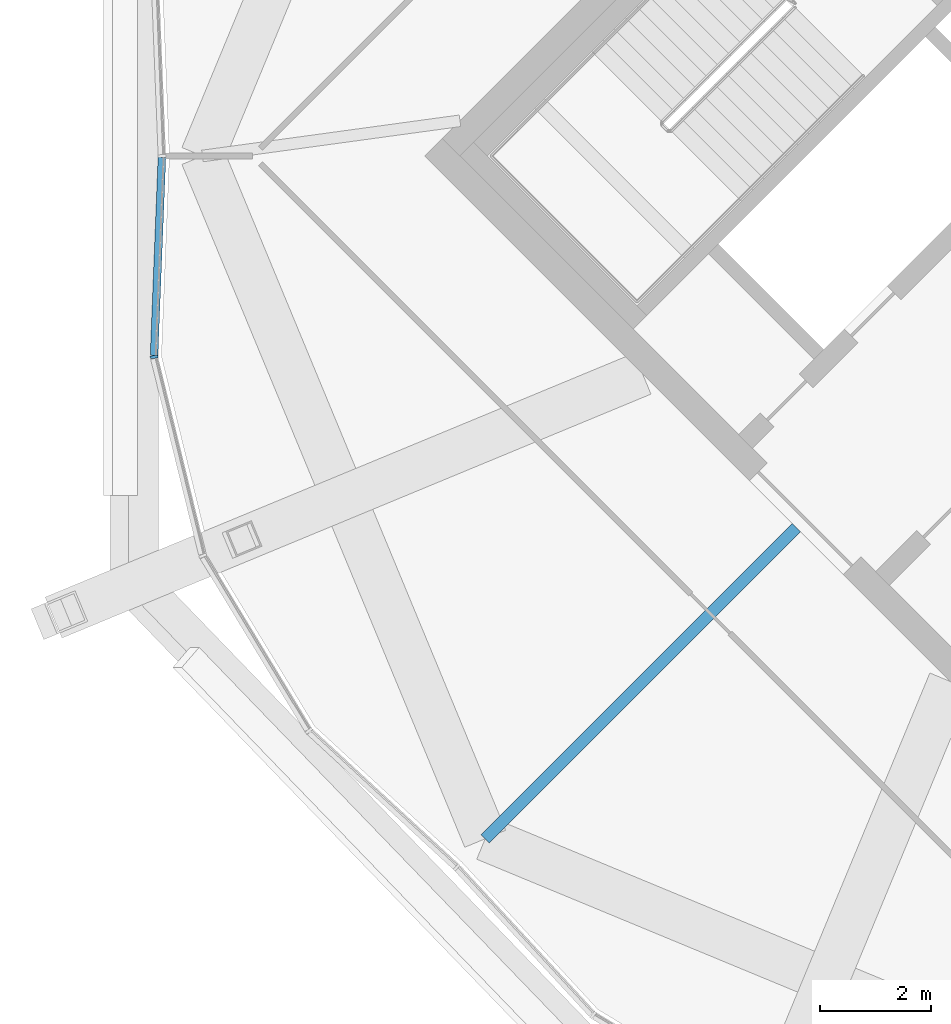
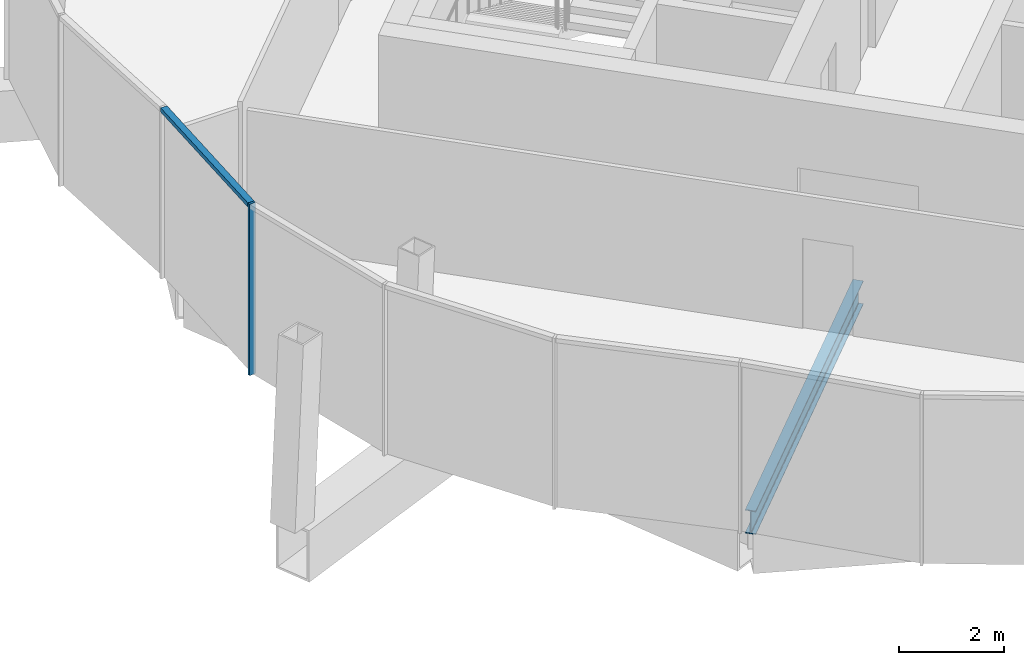
# One storey, part 16 of 34: 2 members, 1 beam, 1 element without a shape of its own.
"""IFC4 building model written with IfcOpenShell, lengths in metres."""

from ifc_helpers import new_model, si_unit, direction, frame, origin, origin_2d, place, context, subcontext, project, spatial, rectangle, i_section, extrude, material, material_profile, profile_set, type_object, element, aggregate, save


model = new_model("IFC4")

# Units and contexts
model_context = context("Model", 3, precision=1e-05, world=origin(), true_north=direction((0.0, 1.0)))
body_context = subcontext(model_context, "Body", "Model", "MODEL_VIEW")
ifc_project = project(units=[si_unit("LENGTHUNIT", "METRE"), si_unit("AREAUNIT", "SQUARE_METRE"), si_unit("VOLUMEUNIT", "CUBIC_METRE"), si_unit("PLANEANGLEUNIT", "RADIAN"), si_unit("MASSUNIT", "GRAM", prefix="KILO")], contexts=[model_context])

# Site, building, storey
site_placement = place(None, origin())
site = spatial("IfcSite", under=ifc_project, at=site_placement, CompositionType="ELEMENT")
building_placement = place(site_placement, origin())
building = spatial("IfcBuilding", under=site, at=building_placement, Name="Ogive Gate Towers", CompositionType="ELEMENT")
storey_placement = place(building_placement, frame((0.0, 0.0, 294.0)))
storey = spatial("IfcBuildingStorey", under=building, at=storey_placement, Name="L69", CompositionType="ELEMENT", Elevation=294.0)

# Curtain wall, members
ifc_material_1 = material(Name="Pale metal aluminium", Category="aluminium")
curtain_wall_type = type_object("IfcCurtainWallType", Name="Crown lean wall", PredefinedType="NOTDEFINED", material=ifc_material_1)
curtain_wall_placement = place(storey_placement, origin())
curtain_wall = element("IfcCurtainWall", 1, at=curtain_wall_placement, inside=storey, type_object=curtain_wall_type, Name="CW5 T2 ECW05", PredefinedType="NOTDEFINED")
ifc_material_profile_1 = material_profile(ifc_material_1, rectangle(XDim=0.139892578125, YDim=0.050048828125, at=origin_2d()), Name="50 x 140 aluminium box")
ifc_profile_set_1 = profile_set([ifc_material_profile_1], Name="Pale metal aluminium")
member_type_1 = type_object("IfcMemberType", Name="Crown lean wall mullion 50 x 140", PredefinedType="MULLION", material=ifc_profile_set_1)
member_1_placement = place(storey_placement, frame((17.671142578125, -3.633056640625, -0.300048828125), z_axis=(0.0, 0.0, 1.0), x_axis=(0.99497725752, 0.100101233848, 0.0)))
member_1 = element("IfcMember", 2, at=member_1_placement, type_object=member_type_1, Name="CW5 mullion", PredefinedType="MULLION", context=body_context, shape_type="SweptSolid", body=[
    extrude(rectangle(XDim=0.139892578125, YDim=0.050048828125, at=origin_2d()), origin(), (0.0, 0.0, 1.0), 4.0),
])
ifc_material_profile_2 = material_profile(ifc_material_1, rectangle(XDim=0.139892578125, YDim=0.10009765625, at=origin_2d()), Name="100 x 140 aluminium box")
ifc_profile_set_2 = profile_set([ifc_material_profile_2], Name="Pale metal aluminium")
member_type_2 = type_object("IfcMemberType", Name="Crown lean wall transom 100 x 140", PredefinedType="USERDEFINED", material=ifc_profile_set_2)
member_2_placement = place(storey_placement, frame((17.672119140625, -3.603759765625, 3.64990234375), z_axis=(0.039589778104, 0.99921601742, 0.0), x_axis=(-0.99921601742, 0.039589778104, 0.0)))
member_2 = element("IfcMember", 3, at=member_2_placement, type_object=member_type_2, Name="CW5 transom", ObjectType="TRANSOM", PredefinedType="USERDEFINED", context=body_context, shape_type="SweptSolid", body=[
    extrude(rectangle(XDim=0.139892578125, YDim=0.10009765625, at=origin_2d()), origin(), (0.0, 0.0, 1.0), 3.5830078125),
])
aggregate(curtain_wall, [member_1, member_2])

# Beam
ifc_material_2 = material(Name="Steel SM355", Category="steel")
ifc_material_profile_3 = material_profile(ifc_material_2, i_section(OverallWidth=0.2099609375, OverallDepth=0.550048828125, WebThickness=0.010986328125, FlangeThickness=0.01708984375, FilletRadius=0.02392578125, at=origin_2d()), Name="IPE 550")
ifc_profile_set_3 = profile_set([ifc_material_profile_3], Name="Steel SM355")
beam_type = type_object("IfcBeamType", Name="Radial floor beam IPE 550", PredefinedType="BEAM", material=ifc_profile_set_3)
beam_placement = place(storey_placement, frame((29.282470703125, -6.717529296875, -0.574951171875), z_axis=(-0.707106781187, -0.707106781187, 0.0), x_axis=(0.707106781187, -0.707106781187, 0.0)))
element("IfcBeam", 4, at=beam_placement, inside=storey, type_object=beam_type, Name="T2/L69/SBM009", PredefinedType="BEAM", context=body_context, shape_type="SweptSolid", body=[
    extrude(i_section(OverallWidth=0.2099609375, OverallDepth=0.550048828125, WebThickness=0.010986328125, FlangeThickness=0.01708984375, FilletRadius=0.02392578125, at=origin_2d()), origin(), (0.0, 0.0, 1.0), 7.954833984375),
])

save(model, "model.ifc")
